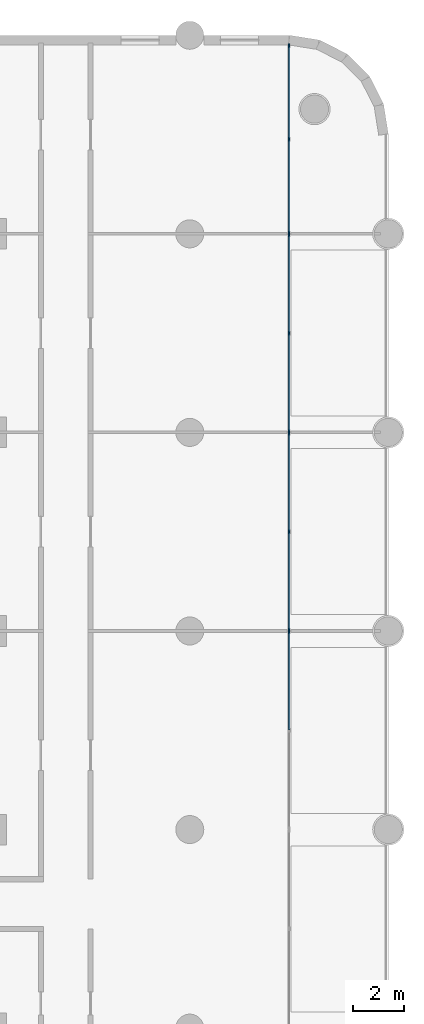
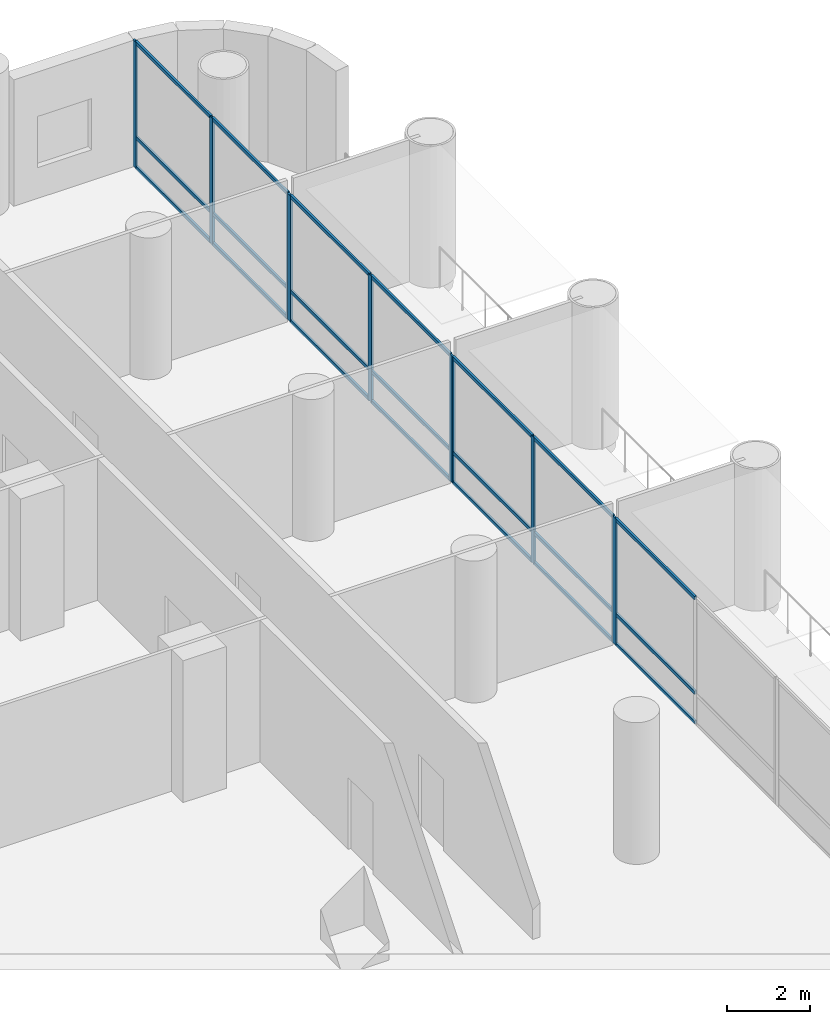
# One storey, part 7 of 23: 31 members, 4 elements without a shape of their own.
"""IFC4 building model written with IfcOpenShell, lengths in metres."""

from ifc_helpers import new_model, si_unit, direction, frame, origin, origin_2d, place, context, subcontext, project, spatial, rectangle, extrude, material, material_profile, profile_set, type_object, element, aggregate, save


model = new_model("IFC4")

# Units and contexts
model_context = context("Model", 3, precision=1e-05, world=origin(), true_north=direction((0.0, 1.0)))
body_context = subcontext(model_context, "Body", "Model", "MODEL_VIEW")
ifc_project = project(units=[si_unit("LENGTHUNIT", "METRE"), si_unit("AREAUNIT", "SQUARE_METRE"), si_unit("VOLUMEUNIT", "CUBIC_METRE"), si_unit("PLANEANGLEUNIT", "RADIAN"), si_unit("MASSUNIT", "GRAM", prefix="KILO")], contexts=[model_context])

# Site, building, storey
site_placement = place(None, origin())
site = spatial("IfcSite", under=ifc_project, at=site_placement, CompositionType="ELEMENT")
building_placement = place(site_placement, origin())
building = spatial("IfcBuilding", under=site, at=building_placement, Name="Ludao Terraces", CompositionType="ELEMENT")
storey_placement = place(building_placement, frame((0.0, 0.0, 10.5)))
storey = spatial("IfcBuildingStorey", under=building, at=storey_placement, Name="L02", CompositionType="ELEMENT", Elevation=10.5)

# Curtain wall, member
ifc_material_1 = material(Name="Aluminium curtain wall with fritted glass", Category="aluminium")
curtain_wall_type = type_object("IfcCurtainWallType", Name="ENV CW1 podium glazing", PredefinedType="NOTDEFINED", material=ifc_material_1)
curtain_wall_1_placement = place(storey_placement, origin())
curtain_wall_1 = element("IfcCurtainWall", 1, at=curtain_wall_1_placement, inside=storey, type_object=curtain_wall_type, Name="CW-L02-E5", PredefinedType="NOTDEFINED")
ifc_material_2 = material(Name="Aluminium 6063-T6", Category="aluminium")
ifc_material_profile_1 = material_profile(ifc_material_2, rectangle(XDim=0.06005859375, YDim=0.14990234375, at=origin_2d()), Name="60 X 150")
ifc_profile_set_1 = profile_set([ifc_material_profile_1], Name="Aluminium 6063-T6")
member_type_1 = type_object("IfcMemberType", Name="ENV CW1 mullion 60x150", PredefinedType="MULLION", material=ifc_profile_set_1)
member_1_placement = place(storey_placement, frame((120.10009765625, 64.969970703125, 0.0), z_axis=(0.0, 0.0, 1.0), x_axis=(-1.0, 0.0, 0.0)))
member_1 = element("IfcMember", 2, at=member_1_placement, type_object=member_type_1, Name="CW1 mullion 3", PredefinedType="MULLION", context=body_context, shape_type="SweptSolid", body=[
    extrude(rectangle(XDim=0.06005859375, YDim=0.14990234375, at=origin_2d()), origin(), (0.0, 0.0, 1.0), 3.699951171875),
])

# Curtain wall, members
curtain_wall_2_placement = place(storey_placement, origin())
curtain_wall_2 = element("IfcCurtainWall", 3, at=curtain_wall_2_placement, inside=storey, type_object=curtain_wall_type, Name="CW-L02-E6", PredefinedType="NOTDEFINED")
member_2_placement = place(storey_placement, frame((120.10009765625, 65.030029296875, 0.0), z_axis=(0.0, 0.0, 1.0), x_axis=(-1.0, 0.0, 0.0)))
member_2 = element("IfcMember", 4, at=member_2_placement, type_object=member_type_1, Name="CW1 mullion 1", PredefinedType="MULLION", context=body_context, shape_type="SweptSolid", body=[
    extrude(rectangle(XDim=0.06005859375, YDim=0.14990234375, at=origin_2d()), origin(), (0.0, 0.0, 1.0), 3.699951171875),
])
member_3_placement = place(storey_placement, frame((120.10009765625, 68.89990234375, 0.0), z_axis=(0.0, 0.0, 1.0), x_axis=(-1.0, 0.0, 0.0)))
member_3 = element("IfcMember", 5, at=member_3_placement, type_object=member_type_1, Name="CW1 mullion 2", PredefinedType="MULLION", context=body_context, shape_type="SweptSolid", body=[
    extrude(rectangle(XDim=0.06005859375, YDim=0.14990234375, at=origin_2d()), origin(), (0.0, 0.0, 1.0), 3.699951171875),
])
member_4_placement = place(storey_placement, frame((120.10009765625, 72.77001953125, 0.0), z_axis=(0.0, 0.0, 1.0), x_axis=(-1.0, 0.0, 0.0)))
member_4 = element("IfcMember", 6, at=member_4_placement, type_object=member_type_1, Name="CW1 mullion 3", PredefinedType="MULLION", context=body_context, shape_type="SweptSolid", body=[
    extrude(rectangle(XDim=0.06005859375, YDim=0.14990234375, at=origin_2d()), origin(), (0.0, 0.0, 1.0), 3.699951171875),
])

curtain_wall_3_placement = place(storey_placement, origin())
curtain_wall_3 = element("IfcCurtainWall", 7, at=curtain_wall_3_placement, inside=storey, type_object=curtain_wall_type, Name="CW-L02-E7", PredefinedType="NOTDEFINED")
member_5_placement = place(storey_placement, frame((120.10009765625, 72.830078125, 0.0), z_axis=(0.0, 0.0, 1.0), x_axis=(-1.0, 0.0, 0.0)))
member_5 = element("IfcMember", 8, at=member_5_placement, type_object=member_type_1, Name="CW1 mullion 1", PredefinedType="MULLION", context=body_context, shape_type="SweptSolid", body=[
    extrude(rectangle(XDim=0.06005859375, YDim=0.14990234375, at=origin_2d()), origin(), (0.0, 0.0, 1.0), 3.699951171875),
])
member_6_placement = place(storey_placement, frame((120.10009765625, 76.699951171875, 0.0), z_axis=(0.0, 0.0, 1.0), x_axis=(-1.0, 0.0, 0.0)))
member_6 = element("IfcMember", 9, at=member_6_placement, type_object=member_type_1, Name="CW1 mullion 2", PredefinedType="MULLION", context=body_context, shape_type="SweptSolid", body=[
    extrude(rectangle(XDim=0.06005859375, YDim=0.14990234375, at=origin_2d()), origin(), (0.0, 0.0, 1.0), 3.699951171875),
])
member_7_placement = place(storey_placement, frame((120.10009765625, 80.570068359375, 0.0), z_axis=(0.0, 0.0, 1.0), x_axis=(-1.0, 0.0, 0.0)))
member_7 = element("IfcMember", 10, at=member_7_placement, type_object=member_type_1, Name="CW1 mullion 3", PredefinedType="MULLION", context=body_context, shape_type="SweptSolid", body=[
    extrude(rectangle(XDim=0.06005859375, YDim=0.14990234375, at=origin_2d()), origin(), (0.0, 0.0, 1.0), 3.699951171875),
])

curtain_wall_4_placement = place(storey_placement, origin())
curtain_wall_4 = element("IfcCurtainWall", 11, at=curtain_wall_4_placement, inside=storey, type_object=curtain_wall_type, Name="CW-L02-E8", PredefinedType="NOTDEFINED")
member_8_placement = place(storey_placement, frame((120.10009765625, 80.6298828125, 0.0), z_axis=(0.0, 0.0, 1.0), x_axis=(-1.0, 0.0, 0.0)))
member_8 = element("IfcMember", 12, at=member_8_placement, type_object=member_type_1, Name="CW1 mullion 1", PredefinedType="MULLION", context=body_context, shape_type="SweptSolid", body=[
    extrude(rectangle(XDim=0.06005859375, YDim=0.14990234375, at=origin_2d()), origin(), (0.0, 0.0, 1.0), 3.699951171875),
])
member_9_placement = place(storey_placement, frame((120.10009765625, 84.31005859375, 0.0), z_axis=(0.0, 0.0, 1.0), x_axis=(-1.0, 0.0, 0.0)))
member_9 = element("IfcMember", 13, at=member_9_placement, type_object=member_type_1, Name="CW1 mullion 2", PredefinedType="MULLION", context=body_context, shape_type="SweptSolid", body=[
    extrude(rectangle(XDim=0.06005859375, YDim=0.14990234375, at=origin_2d()), origin(), (0.0, 0.0, 1.0), 3.699951171875),
])
member_10_placement = place(storey_placement, frame((120.10009765625, 87.989990234375, 0.0), z_axis=(0.0, 0.0, 1.0), x_axis=(-1.0, 0.0, 0.0)))
member_10 = element("IfcMember", 14, at=member_10_placement, type_object=member_type_1, Name="CW1 mullion 3", PredefinedType="MULLION", context=body_context, shape_type="SweptSolid", body=[
    extrude(rectangle(XDim=0.06005859375, YDim=0.14990234375, at=origin_2d()), origin(), (0.0, 0.0, 1.0), 3.699951171875),
])

# Member
ifc_material_profile_2 = material_profile(ifc_material_2, rectangle(XDim=0.06005859375, YDim=0.10009765625, at=origin_2d()), Name="60 X 100")
ifc_profile_set_2 = profile_set([ifc_material_profile_2], Name="Aluminium 6063-T6")
member_type_2 = type_object("IfcMemberType", Name="ENV CW1 transom 60x100", PredefinedType="USERDEFINED", material=ifc_profile_set_2)
member_11_placement = place(storey_placement, frame((120.10009765625, 61.1298828125, 0.030029296875), z_axis=(0.0, 1.0, 0.0), x_axis=(-1.0, 0.0, 0.0)))
member_11 = element("IfcMember", 15, at=member_11_placement, type_object=member_type_2, Name="CW1 transom 2.1", ObjectType="TRANSOM", PredefinedType="USERDEFINED", context=body_context, shape_type="SweptSolid", body=[
    extrude(rectangle(XDim=0.06005859375, YDim=0.10009765625, at=origin_2d()), origin(), (0.0, 0.0, 1.0), 3.81005859375),
])

member_12_placement = place(storey_placement, frame((120.10009765625, 61.1298828125, 0.89990234375), z_axis=(0.0, 1.0, 0.0), x_axis=(-1.0, 0.0, 0.0)))
member_12 = element("IfcMember", 16, at=member_12_placement, type_object=member_type_2, Name="CW1 transom 2.2", ObjectType="TRANSOM", PredefinedType="USERDEFINED", context=body_context, shape_type="SweptSolid", body=[
    extrude(rectangle(XDim=0.06005859375, YDim=0.10009765625, at=origin_2d()), origin(), (0.0, 0.0, 1.0), 3.81005859375),
])

member_13_placement = place(storey_placement, frame((120.10009765625, 61.1298828125, 3.669921875), z_axis=(0.0, 1.0, 0.0), x_axis=(-1.0, 0.0, 0.0)))
member_13 = element("IfcMember", 17, at=member_13_placement, type_object=member_type_2, Name="CW1 transom 2.3", ObjectType="TRANSOM", PredefinedType="USERDEFINED", context=body_context, shape_type="SweptSolid", body=[
    extrude(rectangle(XDim=0.06005859375, YDim=0.10009765625, at=origin_2d()), origin(), (0.0, 0.0, 1.0), 3.81005859375),
])

aggregate(curtain_wall_1, [member_1, member_11, member_12, member_13])

member_14_placement = place(storey_placement, frame((120.10009765625, 65.06005859375, 0.030029296875), z_axis=(0.0, 1.0, 0.0), x_axis=(-1.0, 0.0, 0.0)))
member_14 = element("IfcMember", 18, at=member_14_placement, type_object=member_type_2, Name="CW1 transom 1.1", ObjectType="TRANSOM", PredefinedType="USERDEFINED", context=body_context, shape_type="SweptSolid", body=[
    extrude(rectangle(XDim=0.06005859375, YDim=0.10009765625, at=origin_2d()), origin(), (0.0, 0.0, 1.0), 3.81005859375),
])

member_15_placement = place(storey_placement, frame((120.10009765625, 65.06005859375, 0.89990234375), z_axis=(0.0, 1.0, 0.0), x_axis=(-1.0, 0.0, 0.0)))
member_15 = element("IfcMember", 19, at=member_15_placement, type_object=member_type_2, Name="CW1 transom 1.2", ObjectType="TRANSOM", PredefinedType="USERDEFINED", context=body_context, shape_type="SweptSolid", body=[
    extrude(rectangle(XDim=0.06005859375, YDim=0.10009765625, at=origin_2d()), origin(), (0.0, 0.0, 1.0), 3.81005859375),
])

member_16_placement = place(storey_placement, frame((120.10009765625, 65.06005859375, 3.669921875), z_axis=(0.0, 1.0, 0.0), x_axis=(-1.0, 0.0, 0.0)))
member_16 = element("IfcMember", 20, at=member_16_placement, type_object=member_type_2, Name="CW1 transom 1.3", ObjectType="TRANSOM", PredefinedType="USERDEFINED", context=body_context, shape_type="SweptSolid", body=[
    extrude(rectangle(XDim=0.06005859375, YDim=0.10009765625, at=origin_2d()), origin(), (0.0, 0.0, 1.0), 3.81005859375),
])

member_17_placement = place(storey_placement, frame((120.10009765625, 68.929931640625, 0.030029296875), z_axis=(0.0, 1.0, 0.0), x_axis=(-1.0, 0.0, 0.0)))
member_17 = element("IfcMember", 21, at=member_17_placement, type_object=member_type_2, Name="CW1 transom 2.1", ObjectType="TRANSOM", PredefinedType="USERDEFINED", context=body_context, shape_type="SweptSolid", body=[
    extrude(rectangle(XDim=0.06005859375, YDim=0.10009765625, at=origin_2d()), origin(), (0.0, 0.0, 1.0), 3.81005859375),
])

member_18_placement = place(storey_placement, frame((120.10009765625, 68.929931640625, 0.89990234375), z_axis=(0.0, 1.0, 0.0), x_axis=(-1.0, 0.0, 0.0)))
member_18 = element("IfcMember", 22, at=member_18_placement, type_object=member_type_2, Name="CW1 transom 2.2", ObjectType="TRANSOM", PredefinedType="USERDEFINED", context=body_context, shape_type="SweptSolid", body=[
    extrude(rectangle(XDim=0.06005859375, YDim=0.10009765625, at=origin_2d()), origin(), (0.0, 0.0, 1.0), 3.81005859375),
])

member_19_placement = place(storey_placement, frame((120.10009765625, 68.929931640625, 3.669921875), z_axis=(0.0, 1.0, 0.0), x_axis=(-1.0, 0.0, 0.0)))
member_19 = element("IfcMember", 23, at=member_19_placement, type_object=member_type_2, Name="CW1 transom 2.3", ObjectType="TRANSOM", PredefinedType="USERDEFINED", context=body_context, shape_type="SweptSolid", body=[
    extrude(rectangle(XDim=0.06005859375, YDim=0.10009765625, at=origin_2d()), origin(), (0.0, 0.0, 1.0), 3.81005859375),
])

aggregate(curtain_wall_2, [member_2, member_3, member_4, member_14, member_15, member_16, member_17, member_18, member_19])

member_20_placement = place(storey_placement, frame((120.10009765625, 72.860107421875, 0.030029296875), z_axis=(0.0, 1.0, 0.0), x_axis=(-1.0, 0.0, 0.0)))
member_20 = element("IfcMember", 24, at=member_20_placement, type_object=member_type_2, Name="CW1 transom 1.1", ObjectType="TRANSOM", PredefinedType="USERDEFINED", context=body_context, shape_type="SweptSolid", body=[
    extrude(rectangle(XDim=0.06005859375, YDim=0.10009765625, at=origin_2d()), origin(), (0.0, 0.0, 1.0), 3.809814453125),
])

member_21_placement = place(storey_placement, frame((120.10009765625, 72.860107421875, 0.89990234375), z_axis=(0.0, 1.0, 0.0), x_axis=(-1.0, 0.0, 0.0)))
member_21 = element("IfcMember", 25, at=member_21_placement, type_object=member_type_2, Name="CW1 transom 1.2", ObjectType="TRANSOM", PredefinedType="USERDEFINED", context=body_context, shape_type="SweptSolid", body=[
    extrude(rectangle(XDim=0.06005859375, YDim=0.10009765625, at=origin_2d()), origin(), (0.0, 0.0, 1.0), 3.809814453125),
])

member_22_placement = place(storey_placement, frame((120.10009765625, 72.860107421875, 3.669921875), z_axis=(0.0, 1.0, 0.0), x_axis=(-1.0, 0.0, 0.0)))
member_22 = element("IfcMember", 26, at=member_22_placement, type_object=member_type_2, Name="CW1 transom 1.3", ObjectType="TRANSOM", PredefinedType="USERDEFINED", context=body_context, shape_type="SweptSolid", body=[
    extrude(rectangle(XDim=0.06005859375, YDim=0.10009765625, at=origin_2d()), origin(), (0.0, 0.0, 1.0), 3.809814453125),
])

member_23_placement = place(storey_placement, frame((120.10009765625, 76.72998046875, 0.030029296875), z_axis=(0.0, 1.0, 0.0), x_axis=(-1.0, 0.0, 0.0)))
member_23 = element("IfcMember", 27, at=member_23_placement, type_object=member_type_2, Name="CW1 transom 2.1", ObjectType="TRANSOM", PredefinedType="USERDEFINED", context=body_context, shape_type="SweptSolid", body=[
    extrude(rectangle(XDim=0.06005859375, YDim=0.10009765625, at=origin_2d()), origin(), (0.0, 0.0, 1.0), 3.81005859375),
])

member_24_placement = place(storey_placement, frame((120.10009765625, 76.72998046875, 0.89990234375), z_axis=(0.0, 1.0, 0.0), x_axis=(-1.0, 0.0, 0.0)))
member_24 = element("IfcMember", 28, at=member_24_placement, type_object=member_type_2, Name="CW1 transom 2.2", ObjectType="TRANSOM", PredefinedType="USERDEFINED", context=body_context, shape_type="SweptSolid", body=[
    extrude(rectangle(XDim=0.06005859375, YDim=0.10009765625, at=origin_2d()), origin(), (0.0, 0.0, 1.0), 3.81005859375),
])

member_25_placement = place(storey_placement, frame((120.10009765625, 76.72998046875, 3.669921875), z_axis=(0.0, 1.0, 0.0), x_axis=(-1.0, 0.0, 0.0)))
member_25 = element("IfcMember", 29, at=member_25_placement, type_object=member_type_2, Name="CW1 transom 2.3", ObjectType="TRANSOM", PredefinedType="USERDEFINED", context=body_context, shape_type="SweptSolid", body=[
    extrude(rectangle(XDim=0.06005859375, YDim=0.10009765625, at=origin_2d()), origin(), (0.0, 0.0, 1.0), 3.81005859375),
])

aggregate(curtain_wall_3, [member_5, member_6, member_7, member_20, member_21, member_22, member_23, member_24, member_25])

member_26_placement = place(storey_placement, frame((120.10009765625, 80.659912109375, 0.030029296875), z_axis=(0.0, 1.0, 0.0), x_axis=(-1.0, 0.0, 0.0)))
member_26 = element("IfcMember", 30, at=member_26_placement, type_object=member_type_2, Name="CW1 transom 1.1", ObjectType="TRANSOM", PredefinedType="USERDEFINED", context=body_context, shape_type="SweptSolid", body=[
    extrude(rectangle(XDim=0.06005859375, YDim=0.10009765625, at=origin_2d()), origin(), (0.0, 0.0, 1.0), 3.6201171875),
])

member_27_placement = place(storey_placement, frame((120.10009765625, 80.659912109375, 0.89990234375), z_axis=(0.0, 1.0, 0.0), x_axis=(-1.0, 0.0, 0.0)))
member_27 = element("IfcMember", 31, at=member_27_placement, type_object=member_type_2, Name="CW1 transom 1.2", ObjectType="TRANSOM", PredefinedType="USERDEFINED", context=body_context, shape_type="SweptSolid", body=[
    extrude(rectangle(XDim=0.06005859375, YDim=0.10009765625, at=origin_2d()), origin(), (0.0, 0.0, 1.0), 3.6201171875),
])

member_28_placement = place(storey_placement, frame((120.10009765625, 80.659912109375, 3.669921875), z_axis=(0.0, 1.0, 0.0), x_axis=(-1.0, 0.0, 0.0)))
member_28 = element("IfcMember", 32, at=member_28_placement, type_object=member_type_2, Name="CW1 transom 1.3", ObjectType="TRANSOM", PredefinedType="USERDEFINED", context=body_context, shape_type="SweptSolid", body=[
    extrude(rectangle(XDim=0.06005859375, YDim=0.10009765625, at=origin_2d()), origin(), (0.0, 0.0, 1.0), 3.6201171875),
])

member_29_placement = place(storey_placement, frame((120.10009765625, 84.340087890625, 0.030029296875), z_axis=(0.0, 1.0, 0.0), x_axis=(-1.0, 0.0, 0.0)))
member_29 = element("IfcMember", 33, at=member_29_placement, type_object=member_type_2, Name="CW1 transom 2.1", ObjectType="TRANSOM", PredefinedType="USERDEFINED", context=body_context, shape_type="SweptSolid", body=[
    extrude(rectangle(XDim=0.06005859375, YDim=0.10009765625, at=origin_2d()), origin(), (0.0, 0.0, 1.0), 3.619873046875),
])

member_30_placement = place(storey_placement, frame((120.10009765625, 84.340087890625, 0.89990234375), z_axis=(0.0, 1.0, 0.0), x_axis=(-1.0, 0.0, 0.0)))
member_30 = element("IfcMember", 34, at=member_30_placement, type_object=member_type_2, Name="CW1 transom 2.2", ObjectType="TRANSOM", PredefinedType="USERDEFINED", context=body_context, shape_type="SweptSolid", body=[
    extrude(rectangle(XDim=0.06005859375, YDim=0.10009765625, at=origin_2d()), origin(), (0.0, 0.0, 1.0), 3.619873046875),
])

member_31_placement = place(storey_placement, frame((120.10009765625, 84.340087890625, 3.669921875), z_axis=(0.0, 1.0, 0.0), x_axis=(-1.0, 0.0, 0.0)))
member_31 = element("IfcMember", 35, at=member_31_placement, type_object=member_type_2, Name="CW1 transom 2.3", ObjectType="TRANSOM", PredefinedType="USERDEFINED", context=body_context, shape_type="SweptSolid", body=[
    extrude(rectangle(XDim=0.06005859375, YDim=0.10009765625, at=origin_2d()), origin(), (0.0, 0.0, 1.0), 3.619873046875),
])

aggregate(curtain_wall_4, [member_8, member_9, member_10, member_26, member_27, member_28, member_29, member_30, member_31])

save(model, "model.ifc")
